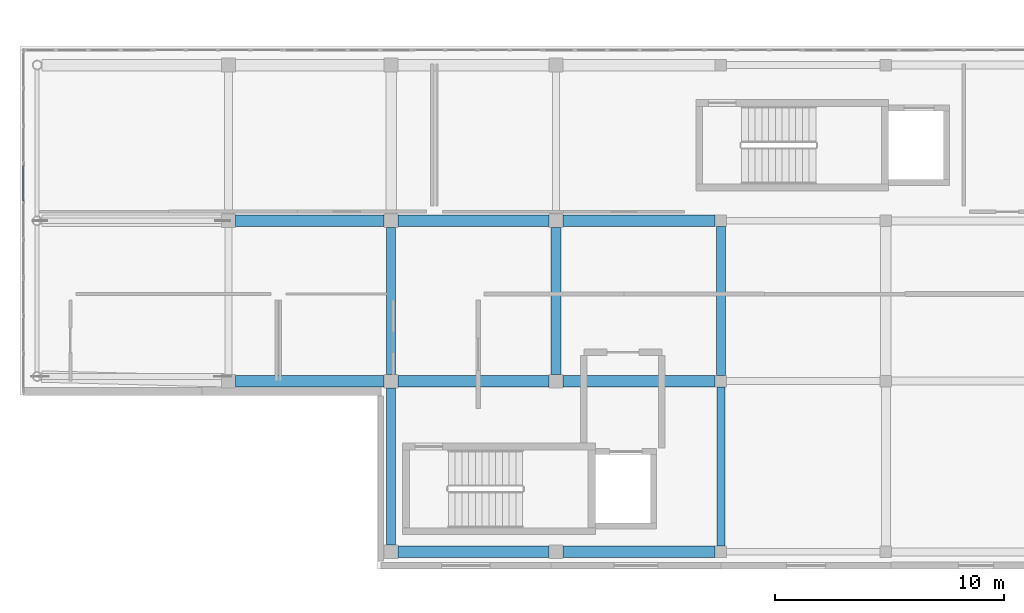
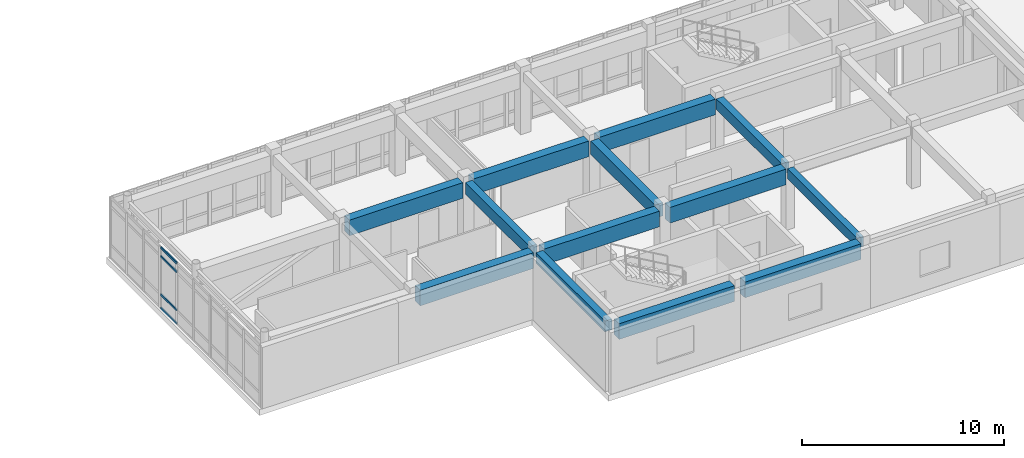
# One storey, part 7 of 52: 13 beams, 4 members, 1 element without a shape of its own.
"""IFC4 building model written with IfcOpenShell, lengths in metres."""

from ifc_helpers import new_model, si_unit, direction, frame, origin, origin_2d, place, context, subcontext, project, spatial, rectangle, hollow_rectangle, extrude, material, layer, layer_set, material_profile, profile_set, type_object, element, aggregate, save


model = new_model("IFC4")

# Units and contexts
model_context = context("Model", 3, precision=1e-05, world=origin(), true_north=direction((0.0, 1.0)))
body_context = subcontext(model_context, "Body", "Model", "MODEL_VIEW")
ifc_project = project(units=[si_unit("LENGTHUNIT", "METRE"), si_unit("AREAUNIT", "SQUARE_METRE"), si_unit("VOLUMEUNIT", "CUBIC_METRE"), si_unit("PLANEANGLEUNIT", "RADIAN"), si_unit("MASSUNIT", "GRAM", prefix="KILO")], contexts=[model_context])

# Site, building, storey
site_placement = place(None, origin())
site = spatial("IfcSite", under=ifc_project, at=site_placement, CompositionType="ELEMENT")
building_placement = place(site_placement, origin())
building = spatial("IfcBuilding", under=site, at=building_placement, Name="Valcora Specialist Clinic", CompositionType="ELEMENT")
storey_placement = place(building_placement, frame((0.0, 0.0, 17.679931640625)))
storey = spatial("IfcBuildingStorey", under=building, at=storey_placement, Name="L04", CompositionType="ELEMENT", Elevation=17.679931640625)

# Beams
ifc_material_1 = material(Name="Concrete C40/50", Category="concrete")
ifc_material_profile_1 = material_profile(ifc_material_1, rectangle(XDim=0.35009765625, YDim=0.60009765625, at=origin_2d()), Name="RC-BM-350X600")
ifc_profile_set_1 = profile_set([ifc_material_profile_1], Name="Concrete C40/50")
beam_type_1 = type_object("IfcBeamType", Name="TY-BM-RC350X600", PredefinedType="BEAM", material=ifc_profile_set_1)
beam_1_placement = place(storey_placement, frame((30.60009765625, 1.0, 3.420166015625), z_axis=(0.0, 1.0, 0.0), x_axis=(-1.0, 0.0, 0.0)))
element("IfcBeam", 1, at=beam_1_placement, inside=storey, type_object=beam_type_1, Name="Beam BM-L04-1104", PredefinedType="BEAM", context=body_context, shape_type="SweptSolid", body=[
    extrude(rectangle(XDim=0.35009765625, YDim=0.60009765625, at=origin_2d()), origin(), (0.0, 0.0, 1.0), 6.949951171875),
])
ifc_material_profile_2 = material_profile(ifc_material_1, rectangle(XDim=0.39990234375, YDim=0.64990234375, at=origin_2d()), Name="RC-BM-400X650")
ifc_profile_set_2 = profile_set([ifc_material_profile_2], Name="Concrete C40/50")
beam_type_2 = type_object("IfcBeamType", Name="TY-BM-RC400X650", PredefinedType="BEAM", material=ifc_profile_set_2)
beam_2_placement = place(storey_placement, frame((16.199951171875, 1.050048828125, 3.39501953125), z_axis=(0.0, 1.0, 0.0), x_axis=(-1.0, 0.0, 0.0)))
element("IfcBeam", 2, at=beam_2_placement, inside=storey, type_object=beam_type_2, Name="Beam BM-L04-1099", PredefinedType="BEAM", context=body_context, shape_type="SweptSolid", body=[
    extrude(rectangle(XDim=0.39990234375, YDim=0.64990234375, at=origin_2d()), origin(), (0.0, 0.0, 1.0), 6.849853515625),
])
beam_3_placement = place(storey_placement, frame((30.60009765625, 8.449951171875, 3.39501953125), z_axis=(0.0, 1.0, 0.0), x_axis=(-1.0, 0.0, 0.0)))
element("IfcBeam", 3, at=beam_3_placement, inside=storey, type_object=beam_type_2, Name="Beam BM-L04-1105", PredefinedType="BEAM", context=body_context, shape_type="SweptSolid", body=[
    extrude(rectangle(XDim=0.39990234375, YDim=0.64990234375, at=origin_2d()), origin(), (0.0, 0.0, 1.0), 6.5),
])
ifc_material_profile_3 = material_profile(ifc_material_1, rectangle(XDim=0.39990234375, YDim=0.699951171875, at=origin_2d()), Name="RC-BM-400X700")
ifc_profile_set_3 = profile_set([ifc_material_profile_3], Name="Concrete C40/50")
beam_type_3 = type_object("IfcBeamType", Name="TY-BM-RC400X700", PredefinedType="BEAM", material=ifc_profile_set_3)
beam_4_placement = place(storey_placement, frame((16.199951171875, 8.5, 3.3701171875), z_axis=(0.0, 1.0, 0.0), x_axis=(-1.0, 0.0, 0.0)))
element("IfcBeam", 4, at=beam_4_placement, inside=storey, type_object=beam_type_3, Name="Beam BM-L04-1100", PredefinedType="BEAM", context=body_context, shape_type="SweptSolid", body=[
    extrude(rectangle(XDim=0.39990234375, YDim=0.699951171875, at=origin_2d()), origin(), (0.0, 0.0, 1.0), 6.39990234375),
])
ifc_material_profile_4 = material_profile(ifc_material_1, rectangle(XDim=0.449951171875, YDim=0.800048828125, at=origin_2d()), Name="RC-BM-450X800")
ifc_profile_set_4 = profile_set([ifc_material_profile_4], Name="Concrete C40/50")
beam_type_4 = type_object("IfcBeamType", Name="TY-BM-RC450X800", PredefinedType="BEAM", material=ifc_profile_set_4)
beam_5_placement = place(storey_placement, frame((23.39990234375, 8.5, 3.320068359375), z_axis=(0.0, 1.0, 0.0), x_axis=(-1.0, 0.0, 0.0)))
element("IfcBeam", 5, at=beam_5_placement, inside=storey, type_object=beam_type_4, Name="Beam BM-L04-1102", PredefinedType="BEAM", context=body_context, shape_type="SweptSolid", body=[
    extrude(rectangle(XDim=0.449951171875, YDim=0.800048828125, at=origin_2d()), origin(), (0.0, 0.0, 1.0), 6.39990234375),
])
ifc_material_profile_5 = material_profile(ifc_material_1, rectangle(XDim=0.5, YDim=0.949951171875, at=origin_2d()), Name="RC-BM-500X950")
ifc_profile_set_5 = profile_set([ifc_material_profile_5], Name="Concrete C40/50")
beam_type_5 = type_object("IfcBeamType", Name="TY-BM-TR500X950", PredefinedType="BEAM", material=ifc_profile_set_5)
beam_6_placement = place(storey_placement, frame((16.5, 0.75, 3.2451171875), z_axis=(1.0, 0.0, 0.0), x_axis=(0.0, 1.0, 0.0)))
element("IfcBeam", 6, at=beam_6_placement, inside=storey, type_object=beam_type_5, Name="Beam BM-L04-1073", PredefinedType="BEAM", context=body_context, shape_type="SweptSolid", body=[
    extrude(rectangle(XDim=0.5, YDim=0.949951171875, at=origin_2d()), origin(), (0.0, 0.0, 1.0), 6.60009765625),
])
beam_7_placement = place(storey_placement, frame((23.699951171875, 0.75, 3.2451171875), z_axis=(1.0, 0.0, 0.0), x_axis=(0.0, 1.0, 0.0)))
element("IfcBeam", 7, at=beam_7_placement, inside=storey, type_object=beam_type_5, Name="Beam BM-L04-1074", PredefinedType="BEAM", context=body_context, shape_type="SweptSolid", body=[
    extrude(rectangle(XDim=0.5, YDim=0.949951171875, at=origin_2d()), origin(), (0.0, 0.0, 1.0), 6.650146484375),
])
beam_8_placement = place(storey_placement, frame((9.39990234375, 8.199951171875, 3.2451171875), z_axis=(1.0, 0.0, 0.0), x_axis=(0.0, 1.0, 0.0)))
element("IfcBeam", 8, at=beam_8_placement, inside=storey, type_object=beam_type_5, Name="Beam BM-L04-1078", PredefinedType="BEAM", context=body_context, shape_type="SweptSolid", body=[
    extrude(rectangle(XDim=0.5, YDim=0.949951171875, at=origin_2d()), origin(), (0.0, 0.0, 1.0), 6.5),
])
beam_9_placement = place(storey_placement, frame((16.5, 8.199951171875, 3.2451171875), z_axis=(1.0, 0.0, 0.0), x_axis=(0.0, 1.0, 0.0)))
element("IfcBeam", 9, at=beam_9_placement, inside=storey, type_object=beam_type_5, Name="Beam BM-L04-1079", PredefinedType="BEAM", context=body_context, shape_type="SweptSolid", body=[
    extrude(rectangle(XDim=0.5, YDim=0.949951171875, at=origin_2d()), origin(), (0.0, 0.0, 1.0), 6.60009765625),
])
beam_10_placement = place(storey_placement, frame((23.699951171875, 8.199951171875, 3.2451171875), z_axis=(1.0, 0.0, 0.0), x_axis=(0.0, 1.0, 0.0)))
element("IfcBeam", 10, at=beam_10_placement, inside=storey, type_object=beam_type_5, Name="Beam BM-L04-1080", PredefinedType="BEAM", context=body_context, shape_type="SweptSolid", body=[
    extrude(rectangle(XDim=0.5, YDim=0.949951171875, at=origin_2d()), origin(), (0.0, 0.0, 1.0), 6.650146484375),
])
beam_11_placement = place(storey_placement, frame((9.39990234375, 15.199951171875, 3.2451171875), z_axis=(1.0, 0.0, 0.0), x_axis=(0.0, 1.0, 0.0)))
element("IfcBeam", 11, at=beam_11_placement, inside=storey, type_object=beam_type_5, Name="Beam BM-L04-1084", PredefinedType="BEAM", context=body_context, shape_type="SweptSolid", body=[
    extrude(rectangle(XDim=0.5, YDim=0.949951171875, at=origin_2d()), origin(), (0.0, 0.0, 1.0), 6.5),
])
beam_12_placement = place(storey_placement, frame((16.5, 15.199951171875, 3.2451171875), z_axis=(1.0, 0.0, 0.0), x_axis=(0.0, 1.0, 0.0)))
element("IfcBeam", 12, at=beam_12_placement, inside=storey, type_object=beam_type_5, Name="Beam BM-L04-1085", PredefinedType="BEAM", context=body_context, shape_type="SweptSolid", body=[
    extrude(rectangle(XDim=0.5, YDim=0.949951171875, at=origin_2d()), origin(), (0.0, 0.0, 1.0), 6.60009765625),
])
beam_13_placement = place(storey_placement, frame((23.699951171875, 15.199951171875, 3.2451171875), z_axis=(1.0, 0.0, 0.0), x_axis=(0.0, 1.0, 0.0)))
element("IfcBeam", 13, at=beam_13_placement, inside=storey, type_object=beam_type_5, Name="Beam BM-L04-1086", PredefinedType="BEAM", context=body_context, shape_type="SweptSolid", body=[
    extrude(rectangle(XDim=0.5, YDim=0.949951171875, at=origin_2d()), origin(), (0.0, 0.0, 1.0), 6.650146484375),
])

# Curtain wall, members
ifc_material_2 = material(Name="Anodized Bronze Aluminium 6063-T6", Category="aluminium")
ifc_layer = layer(ifc_material_2, 0.175048828125)
ifc_layer_set = layer_set([ifc_layer], Name="Anodized Bronze Aluminium 6063-T6")
curtain_wall_type = type_object("IfcCurtainWallType", Name="TY-CW-V5F15", PredefinedType="NOTDEFINED", material=ifc_layer_set)
curtain_wall_placement = place(storey_placement, origin())
curtain_wall = element("IfcCurtainWall", 14, at=curtain_wall_placement, inside=storey, type_object=curtain_wall_type, Name="Curtain wall CW-L04-165", PredefinedType="NOTDEFINED")
ifc_material_profile_6 = material_profile(ifc_material_2, hollow_rectangle(XDim=0.06494140625, YDim=0.1298828125, WallThickness=0.00390625, at=origin_2d()), Name="AL-TRN-65X130")
ifc_profile_set_6 = profile_set([ifc_material_profile_6], Name="Anodized Bronze Aluminium 6063-T6")
member_type = type_object("IfcMemberType", Name="TY-CWT-65X130", PredefinedType="USERDEFINED", material=ifc_profile_set_6)
member_1_placement = place(storey_placement, frame((0.14990234375, 16.060302734375, 0.032470703125), z_axis=(0.0, 1.0, 0.0), x_axis=(-1.0, 0.0, 0.0)))
member_1 = element("IfcMember", 15, at=member_1_placement, type_object=member_type, Name="CW-V5F-15 transom 3.1", ObjectType="TRANSOM", PredefinedType="USERDEFINED", context=body_context, shape_type="SweptSolid", body=[
    extrude(hollow_rectangle(XDim=0.06494140625, YDim=0.1298828125, WallThickness=0.00390625, at=origin_2d()), origin(), (0.0, 0.0, 1.0), 1.55810546875),
])
member_2_placement = place(storey_placement, frame((0.14990234375, 16.060302734375, 0.85009765625), z_axis=(0.0, 1.0, 0.0), x_axis=(-1.0, 0.0, 0.0)))
member_2 = element("IfcMember", 16, at=member_2_placement, type_object=member_type, Name="CW-V5F-15 transom 3.2", ObjectType="TRANSOM", PredefinedType="USERDEFINED", context=body_context, shape_type="SweptSolid", body=[
    extrude(hollow_rectangle(XDim=0.06494140625, YDim=0.1298828125, WallThickness=0.00390625, at=origin_2d()), origin(), (0.0, 0.0, 1.0), 1.55810546875),
])
member_3_placement = place(storey_placement, frame((0.14990234375, 16.060302734375, 3.170166015625), z_axis=(0.0, 1.0, 0.0), x_axis=(-1.0, 0.0, 0.0)))
member_3 = element("IfcMember", 17, at=member_3_placement, type_object=member_type, Name="CW-V5F-15 transom 3.3", ObjectType="TRANSOM", PredefinedType="USERDEFINED", context=body_context, shape_type="SweptSolid", body=[
    extrude(hollow_rectangle(XDim=0.06494140625, YDim=0.1298828125, WallThickness=0.00390625, at=origin_2d()), origin(), (0.0, 0.0, 1.0), 1.55810546875),
])
member_4_placement = place(storey_placement, frame((0.14990234375, 16.060302734375, 3.6875), z_axis=(0.0, 1.0, 0.0), x_axis=(-1.0, 0.0, 0.0)))
member_4 = element("IfcMember", 18, at=member_4_placement, type_object=member_type, Name="CW-V5F-15 transom 3.4", ObjectType="TRANSOM", PredefinedType="USERDEFINED", context=body_context, shape_type="SweptSolid", body=[
    extrude(hollow_rectangle(XDim=0.06494140625, YDim=0.1298828125, WallThickness=0.00390625, at=origin_2d()), origin(), (0.0, 0.0, 1.0), 1.55810546875),
])
aggregate(curtain_wall, [member_1, member_2, member_3, member_4])

save(model, "model.ifc")
